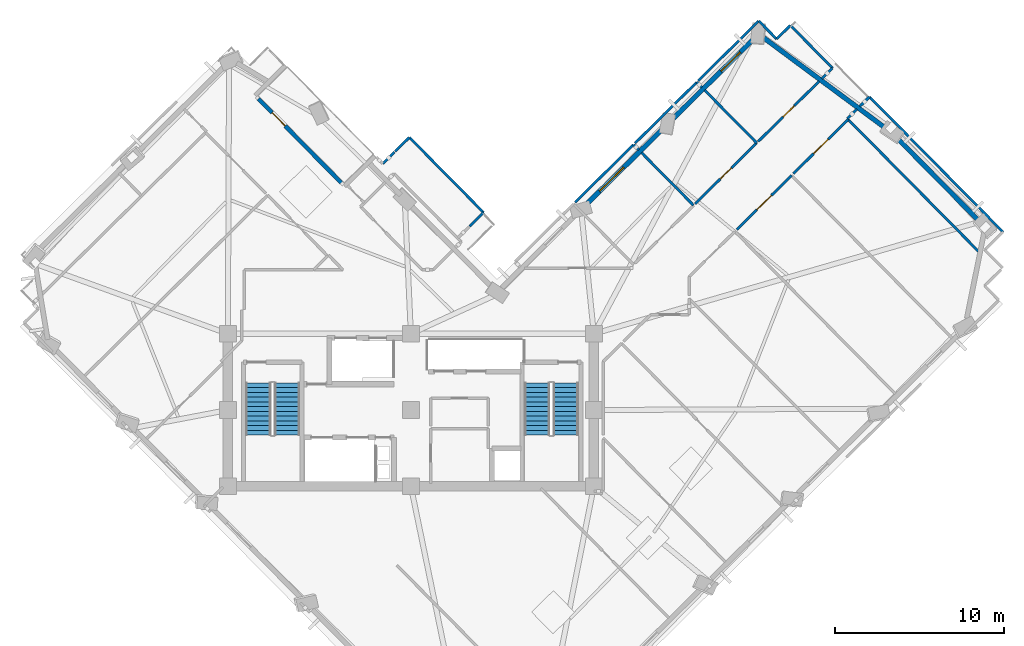
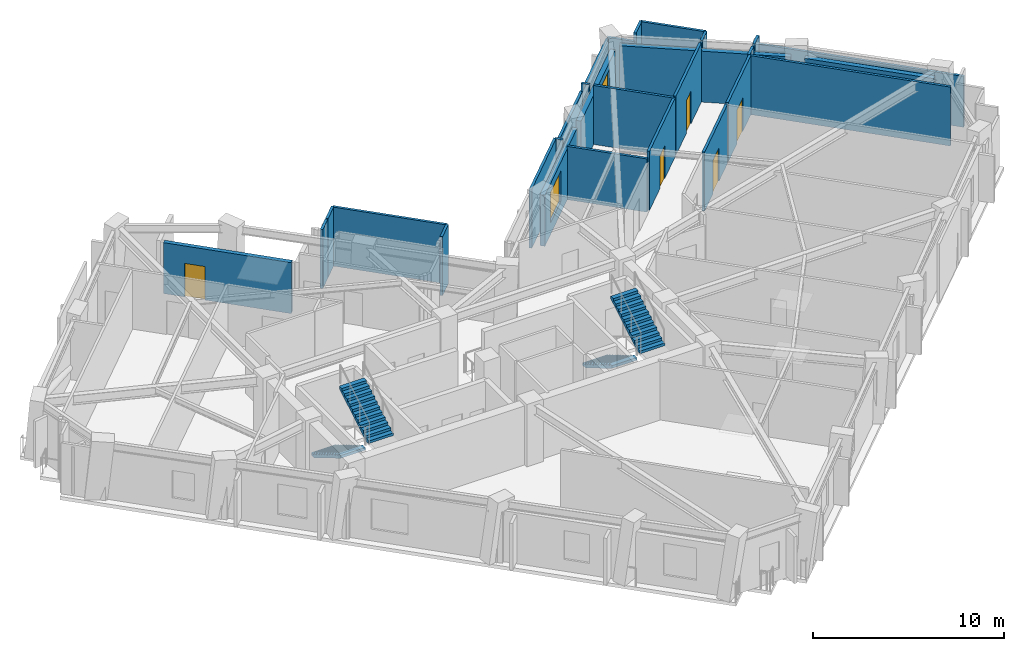
# One storey, part 7 of 11: 28 walls, 5 doors, 4 stair flights, 2 windows, 7 openings, 2 elements without a shape of their own.
"""IFC4 building model written with IfcOpenShell, lengths in metres."""

from ifc_helpers import new_model, si_unit, direction, frame, frame_2d, origin, place, context, subcontext, project, spatial, polyline, rectangle, outline, extrude, material, layer, layer_set, type_object, element, fill, aggregate, save


model = new_model("IFC4")

# Units and contexts
model_context = context("Model", 3, precision=1e-05, world=origin(), true_north=direction((0.0, 1.0)))
body_context = subcontext(model_context, "Body", "Model", "MODEL_VIEW")
ifc_project = project(units=[si_unit("LENGTHUNIT", "METRE"), si_unit("AREAUNIT", "SQUARE_METRE"), si_unit("VOLUMEUNIT", "CUBIC_METRE"), si_unit("PLANEANGLEUNIT", "RADIAN"), si_unit("MASSUNIT", "GRAM", prefix="KILO")], contexts=[model_context])

# Site, building, storey
site_placement = place(None, origin())
site = spatial("IfcSite", under=ifc_project, at=site_placement, CompositionType="ELEMENT")
building_placement = place(site_placement, origin())
building = spatial("IfcBuilding", under=site, at=building_placement, Name="Gaonmaruhae Medical Tower", CompositionType="ELEMENT")
storey_placement = place(building_placement, frame((0.0, 0.0, 215.199951171875)))
storey = spatial("IfcBuildingStorey", under=building, at=storey_placement, Name="L51", CompositionType="ELEMENT", Elevation=215.199951171875)

# Wall, opening, door
ifc_material_1 = material(Name="Precast concrete C45/55", Category="concrete")
ifc_layer_1 = layer(ifc_material_1, 0.239990234375)
ifc_layer_set_1 = layer_set([ifc_layer_1], Name="Precast concrete C45/55")
wall_type_1 = type_object("IfcWallType", Name="EW-240 Ribbon & Shelter Insulated Precast Wall", PredefinedType="SOLIDWALL", material=ifc_layer_set_1)
wall_1_placement = place(storey_placement, frame((15.80224609375, 30.664794921875, 0.0), z_axis=(0.0, 0.0, 1.0), x_axis=(0.702761539953, -0.711425483071, 0.0)))
wall_1 = element("IfcWall", 1, at=wall_1_placement, inside=storey, type_object=wall_type_1, Name="L51 Recessed Terrace Enclosure Wall TERB", PredefinedType="SOLIDWALL", context=body_context, shape_type="SweptSolid", body=[
    extrude(rectangle(XDim=6.960205078125, YDim=0.239990234375, at=frame_2d((3.47998046875, 0.0))), origin(), (0.0, 0.0, 1.0), 3.26513671875),
])
opening_1_placement = place(wall_1_placement, frame((1.15087890625, 0.0, 0.0)))
opening_1 = element("IfcOpeningElement", 2, at=opening_1_placement, cuts=wall_1, Name="Opening TD-01", PredefinedType="OPENING", context=body_context, shape_type="SweptSolid", body=[
    extrude(rectangle(XDim=1.10009765625, YDim=2.14990234375, at=frame_2d((0.550048828125, 1.074951171875))), frame((0.0, 0.1298828125, 0.0), z_axis=(0.0, -1.0, 0.0), x_axis=(1.0, 0.0, 0.0)), (0.0, 0.0, 1.0), 0.260009765625),
])
ifc_material_2 = material(Name="Anodised aluminium and toughened safety glass", Category="aluminium")
door_type_1 = type_object("IfcDoorType", Name="TD-01 Terrace & Sky Garden Glazed Door 1100x2150", OperationType="NOTDEFINED", PredefinedType="DOOR", material=ifc_material_2)
door_1_placement = place(opening_1_placement, origin())
door_1 = element("IfcDoor", 3, at=door_1_placement, inside=storey, type_object=door_type_1, Name="L51 Outdoor Terrace Access Door SLB-L51-TER", OperationType="SINGLE_SWING_LEFT", OverallHeight=2.14990234375, OverallWidth=1.10009765625, PredefinedType="DOOR", context=body_context, shape_type="SweptSolid", body=[
    extrude(rectangle(XDim=1.10009765625, YDim=2.14990234375, at=frame_2d((0.550048828125, 1.074951171875))), frame((0.0, 0.02490234375, 0.0), z_axis=(0.0, -1.0, 0.0), x_axis=(1.0, 0.0, 0.0)), (0.0, 0.0, 1.0), 0.050048828125),
])
fill(opening_1, door_1)

# Walls
ifc_layer_2 = layer(ifc_material_1, 0.280029296875)
ifc_layer_set_2 = layer_set([ifc_layer_2], Name="Precast concrete C45/55")
wall_type_2 = type_object("IfcWallType", Name="EW-280 Upper Precast Masonry-Frame Facade Wall", PredefinedType="SOLIDWALL", material=ifc_layer_set_2)
wall_2_placement = place(storey_placement, frame((53.38525390625, 28.46337890625, 0.0), z_axis=(0.0, 0.0, 1.0), x_axis=(0.702779857977, -0.711407387663, 0.0)))
element("IfcWall", 4, at=wall_2_placement, inside=storey, type_object=wall_type_2, Name="L51 Precast Masonry-Frame Wall E01-E02", PredefinedType="SOLIDWALL", context=body_context, shape_type="SweptSolid", body=[
    extrude(rectangle(XDim=7.046142578125, YDim=0.280029296875, at=frame_2d((3.52294921875, 0.0))), origin(), (0.0, 0.0, 1.0), 3.26513671875),
])
wall_3_placement = place(storey_placement, frame((45.546630859375, 34.323486328125, 0.0), z_axis=(0.0, 0.0, 1.0), x_axis=(0.803236884765, -0.595659724131, 0.0)))
element("IfcWall", 5, at=wall_3_placement, inside=storey, type_object=wall_type_2, Name="L51 Precast Masonry-Frame Wall E02-E03", PredefinedType="SOLIDWALL", context=body_context, shape_type="SweptSolid", body=[
    extrude(rectangle(XDim=9.036376953125, YDim=0.280029296875, at=frame_2d((4.51806640625, 0.0))), origin(), (0.0, 0.0, 1.0), 3.26513671875),
])

# Wall, opening, window
wall_4_placement = place(storey_placement, frame((40.2421875, 29.464111328125, 0.0), z_axis=(0.0, 0.0, 1.0), x_axis=(0.711432569106, 0.702754366486, 0.0)))
wall_4 = element("IfcWall", 6, at=wall_4_placement, inside=storey, type_object=wall_type_2, Name="L51 Precast Masonry-Frame Wall E03-EN01", PredefinedType="SOLIDWALL", context=body_context, shape_type="SweptSolid", body=[
    extrude(rectangle(XDim=6.780029296875, YDim=0.280029296875, at=frame_2d((3.39013671875, 0.0))), origin(), (0.0, 0.0, 1.0), 3.1650390625),
])
opening_2_placement = place(wall_4_placement, frame((4.023681640625, 0.0, 0.75)))
opening_2 = element("IfcOpeningElement", 7, at=opening_2_placement, cuts=wall_4, Name="Opening WN-01", PredefinedType="OPENING", context=body_context, shape_type="SweptSolid", body=[
    extrude(rectangle(XDim=1.60009765625, YDim=1.949951171875, at=frame_2d((0.800048828125, 0.97509765625))), frame((0.0, 0.14990234375, 0.0), z_axis=(0.0, -1.0, 0.0), x_axis=(1.0, 0.0, 0.0)), (0.0, 0.0, 1.0), 0.300048828125),
])
ifc_material_3 = material(Name="Anodised aluminium and Low-E double glazing", Category="aluminium")
window_type_1 = type_object("IfcWindowType", Name="WN-01 Ward Punched Acoustic Window 1600x1950", PartitioningType="SINGLE_PANEL", PredefinedType="WINDOW", material=ifc_material_3)
window_1_placement = place(opening_2_placement, origin())
window_1 = element("IfcWindow", 8, at=window_1_placement, inside=storey, type_object=window_type_1, Name="L51 Modular Facade Window E03", OverallHeight=1.949951171875, OverallWidth=1.60009765625, PartitioningType="SINGLE_PANEL", PredefinedType="WINDOW", context=body_context, shape_type="SweptSolid", body=[
    extrude(rectangle(XDim=1.60009765625, YDim=1.949951171875, at=frame_2d((0.800048828125, 0.97509765625))), frame((0.0, 0.030029296875, 0.0), z_axis=(0.0, -1.0, 0.0), x_axis=(1.0, 0.0, 0.0)), (0.0, 0.0, 1.0), 0.06005859375),
])
fill(opening_2, window_1)

wall_5_placement = place(storey_placement, frame((35.1240234375, 24.407958984375, 0.0), z_axis=(0.0, 0.0, 1.0), x_axis=(0.711416839959, 0.702770289513, 0.0)))
wall_5 = element("IfcWall", 9, at=wall_5_placement, inside=storey, type_object=wall_type_2, Name="L51 Precast Masonry-Frame Wall EN01-EN02", PredefinedType="SOLIDWALL", context=body_context, shape_type="SweptSolid", body=[
    extrude(rectangle(XDim=6.409423828125, YDim=0.280029296875, at=frame_2d((3.20458984375, 0.0))), origin(), (0.0, 0.0, 1.0), 3.26513671875),
])
opening_3_placement = place(wall_5_placement, frame((1.146484375, 0.0, 0.75)))
opening_3 = element("IfcOpeningElement", 10, at=opening_3_placement, cuts=wall_5, Name="Opening WN-02", PredefinedType="OPENING", context=body_context, shape_type="SweptSolid", body=[
    extrude(rectangle(XDim=2.0, YDim=1.949951171875, at=frame_2d((1.0, 0.97509765625))), frame((0.0, 0.14990234375, 0.0), z_axis=(0.0, -1.0, 0.0), x_axis=(1.0, 0.0, 0.0)), (0.0, 0.0, 1.0), 0.300048828125),
])
window_type_2 = type_object("IfcWindowType", Name="WN-02 Double-Bed Ward Punched Window 2000x1950", PartitioningType="SINGLE_PANEL", PredefinedType="WINDOW", material=ifc_material_3)
window_2_placement = place(opening_3_placement, origin())
window_2 = element("IfcWindow", 11, at=window_2_placement, inside=storey, type_object=window_type_2, Name="L51 Modular Facade Window EN01", OverallHeight=1.949951171875, OverallWidth=2.0, PartitioningType="SINGLE_PANEL", PredefinedType="WINDOW", context=body_context, shape_type="SweptSolid", body=[
    extrude(rectangle(XDim=2.0, YDim=1.949951171875, at=frame_2d((1.0, 0.97509765625))), frame((0.0, 0.030029296875, 0.0), z_axis=(0.0, -1.0, 0.0), x_axis=(1.0, 0.0, 0.0)), (0.0, 0.0, 1.0), 0.06005859375),
])
fill(opening_3, window_2)

# Wall, opening, door
ifc_material_4 = material(Name="Gypsum board partition", Category="gypsum")
ifc_layer_3 = layer(ifc_material_4, 0.14990234375)
ifc_layer_set_3 = layer_set([ifc_layer_3], Name="Gypsum board partition")
wall_type_3 = type_object("IfcWallType", Name="PW-150 Rated Clinical Corridor Partition", PredefinedType="PARTITIONING", material=ifc_layer_set_3)
wall_6_placement = place(storey_placement, frame((44.035888671875, 22.950927734375, 0.0), z_axis=(0.0, 0.0, 1.0), x_axis=(0.711502616413, 0.702683447107, 0.0)))
wall_6 = element("IfcWall", 12, at=wall_6_placement, inside=storey, type_object=wall_type_3, Name="L51 Interior Partition L51-SUP08-29", PredefinedType="PARTITIONING", context=body_context, shape_type="SweptSolid", body=[
    extrude(rectangle(XDim=4.5400390625, YDim=0.14990234375, at=frame_2d((2.27001953125, 0.0))), origin(), (0.0, 0.0, 1.0), 3.780029296875),
])
opening_4_placement = place(wall_6_placement, frame((1.669921875, 0.0, 0.0)))
opening_4 = element("IfcOpeningElement", 13, at=opening_4_placement, cuts=wall_6, Name="Opening CD-02", PredefinedType="OPENING", context=body_context, shape_type="SweptSolid", body=[
    extrude(rectangle(XDim=1.199951171875, YDim=2.14990234375, at=frame_2d((0.60009765625, 1.074951171875))), frame((0.0, 0.0849609375, 0.0), z_axis=(0.0, -1.0, 0.0), x_axis=(1.0, 0.0, 0.0)), (0.0, 0.0, 1.0), 0.169921875),
])
ifc_material_5 = material(Name="Antimicrobial laminate timber fire door", Category="wood")
door_type_2 = type_object("IfcDoorType", Name="CD-02 Clinical Treatment & Procedure Door 1200x2150", OperationType="NOTDEFINED", PredefinedType="DOOR", material=ifc_material_5)
door_2_placement = place(opening_4_placement, origin())
door_2 = element("IfcDoor", 14, at=door_2_placement, inside=storey, type_object=door_type_2, Name="L51 Clinical Biomedical Charting Office Door", OperationType="SINGLE_SWING_LEFT", OverallHeight=2.14990234375, OverallWidth=1.199951171875, PredefinedType="DOOR", context=body_context, shape_type="SweptSolid", body=[
    extrude(rectangle(XDim=1.199951171875, YDim=2.14990234375, at=frame_2d((0.60009765625, 1.074951171875))), frame((0.0, 0.02490234375, 0.0), z_axis=(0.0, -1.0, 0.0), x_axis=(1.0, 0.0, 0.0)), (0.0, 0.0, 1.0), 0.050048828125),
])
fill(opening_4, door_2)

wall_7_placement = place(storey_placement, frame((47.3798828125, 26.25390625, 0.0), z_axis=(0.0, 0.0, 1.0), x_axis=(0.711502616413, 0.702683447107, 0.0)))
wall_7 = element("IfcWall", 15, at=wall_7_placement, inside=storey, type_object=wall_type_3, Name="L51 Interior Partition L51-SUP09-32", PredefinedType="PARTITIONING", context=body_context, shape_type="SweptSolid", body=[
    extrude(rectangle(XDim=4.5400390625, YDim=0.14990234375, at=frame_2d((2.27001953125, 0.0))), origin(), (0.0, 0.0, 1.0), 3.780029296875),
])
opening_5_placement = place(wall_7_placement, frame((1.669921875, 0.0, 0.0)))
opening_5 = element("IfcOpeningElement", 16, at=opening_5_placement, cuts=wall_7, Name="Opening CD-02", PredefinedType="OPENING", context=body_context, shape_type="SweptSolid", body=[
    extrude(rectangle(XDim=1.199951171875, YDim=2.14990234375, at=frame_2d((0.60009765625, 1.074951171875))), frame((0.0, 0.0849609375, 0.0), z_axis=(0.0, -1.0, 0.0), x_axis=(1.0, 0.0, 0.0)), (0.0, 0.0, 1.0), 0.169921875),
])
door_3_placement = place(opening_5_placement, origin())
door_3 = element("IfcDoor", 17, at=door_3_placement, inside=storey, type_object=door_type_2, Name="L51 Clinical Biomedical Charting Office Door", OperationType="SINGLE_SWING_LEFT", OverallHeight=2.14990234375, OverallWidth=1.199951171875, PredefinedType="DOOR", context=body_context, shape_type="SweptSolid", body=[
    extrude(rectangle(XDim=1.199951171875, YDim=2.14990234375, at=frame_2d((0.60009765625, 1.074951171875))), frame((0.0, 0.02490234375, 0.0), z_axis=(0.0, -1.0, 0.0), x_axis=(1.0, 0.0, 0.0)), (0.0, 0.0, 1.0), 0.050048828125),
])
fill(opening_5, door_3)

# Walls
wall_8_placement = place(storey_placement, frame((50.610107421875, 29.444091796875, 0.0), z_axis=(0.0, 0.0, 1.0), x_axis=(0.702781267374, -0.711405995356, 0.0)))
element("IfcWall", 18, at=wall_8_placement, inside=storey, type_object=wall_type_3, Name="L51 Interior Partition L51-SUP09-33", PredefinedType="PARTITIONING", context=body_context, shape_type="SweptSolid", body=[
    extrude(rectangle(XDim=10.926513671875, YDim=0.14990234375, at=frame_2d((5.46337890625, 0.0))), origin(), (0.0, 0.0, 1.0), 3.780029296875),
])
wall_9_placement = place(storey_placement, frame((34.485107421875, 24.550048828125, 0.0), z_axis=(0.0, 0.0, 1.0), x_axis=(0.711390715855, 0.702796734053, 0.0)))
element("IfcWall", 19, at=wall_9_placement, inside=storey, type_object=wall_type_3, Name="L51 Interior Partition L51-IE03-62", PredefinedType="PARTITIONING", context=body_context, shape_type="SweptSolid", body=[
    extrude(rectangle(XDim=4.85791015625, YDim=0.14990234375, at=frame_2d((2.428955078125, 0.0))), origin(), (0.0, 0.0, 1.0), 3.780029296875),
])
wall_10_placement = place(storey_placement, frame((37.94091796875, 27.964111328125, 0.0), z_axis=(0.0, 0.0, 1.0), x_axis=(0.702610212359, -0.711574935962, 0.0)))
element("IfcWall", 20, at=wall_10_placement, inside=storey, type_object=wall_type_3, Name="L51 Interior Partition L51-IE03-63", PredefinedType="PARTITIONING", context=body_context, shape_type="SweptSolid", body=[
    extrude(rectangle(XDim=0.435791015625, YDim=0.14990234375, at=frame_2d((0.2177734375, 0.0))), origin(), (0.0, 0.0, 1.0), 3.780029296875),
])
wall_11_placement = place(storey_placement, frame((38.407958984375, 27.490966796875, 0.0), z_axis=(0.0, 0.0, 1.0), x_axis=(0.702741357697, -0.711445418976, 0.0)))
element("IfcWall", 21, at=wall_11_placement, inside=storey, type_object=wall_type_3, Name="L51 Interior Partition L51-IE03-64", PredefinedType="PARTITIONING", context=body_context, shape_type="SweptSolid", body=[
    extrude(rectangle(XDim=4.375732421875, YDim=0.14990234375, at=frame_2d((2.18798828125, 0.0))), origin(), (0.0, 0.0, 1.0), 3.4150390625),
])

# Wall, opening, door
wall_12_placement = place(storey_placement, frame((45.2109375, 28.06103515625, 0.0), z_axis=(0.0, 0.0, 1.0), x_axis=(-0.711361976558, -0.702825823592, 0.0)))
wall_12 = element("IfcWall", 22, at=wall_12_placement, inside=storey, type_object=wall_type_3, Name="L51 Interior Partition L51-IE04-65", PredefinedType="PARTITIONING", context=body_context, shape_type="SweptSolid", body=[
    extrude(rectangle(XDim=5.11962890625, YDim=0.14990234375, at=frame_2d((2.559814453125, 0.0))), origin(), (0.0, 0.0, 1.0), 3.780029296875),
])
opening_6_placement = place(wall_12_placement, frame((2.099853515625, 0.0, 0.0)))
opening_6 = element("IfcOpeningElement", 23, at=opening_6_placement, cuts=wall_12, Name="Opening UD-01", PredefinedType="OPENING", context=body_context, shape_type="SweptSolid", body=[
    extrude(rectangle(XDim=0.919921875, YDim=2.10009765625, at=frame_2d((0.4599609375, 1.050048828125))), frame((0.0, 0.0849609375, 0.0), z_axis=(0.0, -1.0, 0.0), x_axis=(1.0, 0.0, 0.0)), (0.0, 0.0, 1.0), 0.169921875),
])
ifc_material_6 = material(Name="Powder-coated steel utility door", Category="steel")
door_type_3 = type_object("IfcDoorType", Name="UD-01 Toilet, Utility & Housekeeping Door 920x2100", OperationType="NOTDEFINED", PredefinedType="DOOR", material=ifc_material_6)
door_4_placement = place(opening_6_placement, origin())
door_4 = element("IfcDoor", 24, at=door_4_placement, inside=storey, type_object=door_type_3, Name="L51 Accessible Public Toilet Door", OperationType="SINGLE_SWING_RIGHT", OverallHeight=2.10009765625, OverallWidth=0.919921875, PredefinedType="DOOR", context=body_context, shape_type="SweptSolid", body=[
    extrude(rectangle(XDim=0.919921875, YDim=2.10009765625, at=frame_2d((0.4599609375, 1.050048828125))), frame((0.0, 0.02490234375, 0.0), z_axis=(0.0, -1.0, 0.0), x_axis=(1.0, 0.0, 0.0)), (0.0, 0.0, 1.0), 0.050048828125),
])
fill(opening_6, door_4)

# Walls
wall_13_placement = place(storey_placement, frame((38.027099609375, 28.048095703125, 0.0), z_axis=(0.0, 0.0, 1.0), x_axis=(0.711290453271, 0.702898208196, 0.0)))
element("IfcWall", 25, at=wall_13_placement, inside=storey, type_object=wall_type_3, Name="L51 Interior Partition L51-IE04-66", PredefinedType="PARTITIONING", context=body_context, shape_type="SweptSolid", body=[
    extrude(rectangle(XDim=5.1201171875, YDim=0.14990234375, at=frame_2d((2.56005859375, 0.0))), origin(), (0.0, 0.0, 1.0), 3.26513671875),
])
wall_14_placement = place(storey_placement, frame((41.6689453125, 31.64697265625, 0.0), z_axis=(0.0, 0.0, 1.0), x_axis=(0.702610212359, -0.711574935962, 0.0)))
element("IfcWall", 26, at=wall_14_placement, inside=storey, type_object=wall_type_3, Name="L51 Interior Partition L51-IE04-67", PredefinedType="PARTITIONING", context=body_context, shape_type="SweptSolid", body=[
    extrude(rectangle(XDim=0.435791015625, YDim=0.14990234375, at=frame_2d((0.2177734375, 0.0))), origin(), (0.0, 0.0, 1.0), 3.780029296875),
])
wall_15_placement = place(storey_placement, frame((42.136962890625, 31.174072265625, 0.0), z_axis=(0.0, 0.0, 1.0), x_axis=(0.702628367002, -0.711557009581, 0.0)))
element("IfcWall", 27, at=wall_15_placement, inside=storey, type_object=wall_type_3, Name="L51 Interior Partition L51-IE04-68", PredefinedType="PARTITIONING", context=body_context, shape_type="SweptSolid", body=[
    extrude(rectangle(XDim=4.375, YDim=0.14990234375, at=frame_2d((2.1875, 0.0))), origin(), (0.0, 0.0, 1.0), 3.780029296875),
])
wall_16_placement = place(storey_placement, frame((46.385986328125, 34.197021484375, 0.0), z_axis=(0.0, 0.0, 1.0), x_axis=(0.711483702843, 0.70270259754, 0.0)))
element("IfcWall", 28, at=wall_16_placement, inside=storey, type_object=wall_type_3, Name="L51 Interior Partition L51-IE05-69", PredefinedType="PARTITIONING", context=body_context, shape_type="SweptSolid", body=[
    extrude(rectangle(XDim=1.139892578125, YDim=0.14990234375, at=frame_2d((0.56982421875, 0.0))), origin(), (0.0, 0.0, 1.0), 3.780029296875),
])
wall_17_placement = place(storey_placement, frame((47.197021484375, 34.998046875, 0.0), z_axis=(0.0, 0.0, 1.0), x_axis=(0.70271289867, -0.711473528701, 0.0)))
element("IfcWall", 29, at=wall_17_placement, inside=storey, type_object=wall_type_3, Name="L51 Interior Partition L51-IE05-70", PredefinedType="PARTITIONING", context=body_context, shape_type="SweptSolid", body=[
    extrude(rectangle(XDim=3.539306640625, YDim=0.14990234375, at=frame_2d((1.76953125, 0.0))), origin(), (0.0, 0.0, 1.0), 3.780029296875),
])
wall_18_placement = place(storey_placement, frame((49.68408203125, 32.47998046875, 0.0), z_axis=(0.0, 0.0, 1.0), x_axis=(-0.711123155313, -0.703067463319, 0.0)))
element("IfcWall", 30, at=wall_18_placement, inside=storey, type_object=wall_type_3, Name="L51 Interior Partition L51-IE05-71", PredefinedType="PARTITIONING", context=body_context, shape_type="SweptSolid", body=[
    extrude(rectangle(XDim=0.87890625, YDim=0.14990234375, at=frame_2d((0.439453125, 0.0))), origin(), (0.0, 0.0, 1.0), 3.780029296875),
])

# Wall, opening, door
wall_19_placement = place(storey_placement, frame((48.89306640625, 31.698974609375, 0.0), z_axis=(0.0, 0.0, 1.0), x_axis=(-0.711366706514, -0.702821036156, 0.0)))
wall_19 = element("IfcWall", 31, at=wall_19_placement, inside=storey, type_object=wall_type_3, Name="L51 Interior Partition L51-IE05-72", PredefinedType="PARTITIONING", context=body_context, shape_type="SweptSolid", body=[
    extrude(rectangle(XDim=5.056640625, YDim=0.14990234375, at=frame_2d((2.5283203125, 0.0))), origin(), (0.0, 0.0, 1.0), 3.780029296875),
])
opening_7_placement = place(wall_19_placement, frame((2.068359375, 0.0, 0.0)))
opening_7 = element("IfcOpeningElement", 32, at=opening_7_placement, cuts=wall_19, Name="Opening UD-01", PredefinedType="OPENING", context=body_context, shape_type="SweptSolid", body=[
    extrude(rectangle(XDim=0.919921875, YDim=2.10009765625, at=frame_2d((0.4599609375, 1.050048828125))), frame((0.0, 0.0849609375, 0.0), z_axis=(0.0, -1.0, 0.0), x_axis=(1.0, 0.0, 0.0)), (0.0, 0.0, 1.0), 0.169921875),
])
door_5_placement = place(opening_7_placement, origin())
door_5 = element("IfcDoor", 33, at=door_5_placement, inside=storey, type_object=door_type_3, Name="L51 Ward Housekeeping and Linen Store Door", OperationType="SINGLE_SWING_RIGHT", OverallHeight=2.10009765625, OverallWidth=0.919921875, PredefinedType="DOOR", context=body_context, shape_type="SweptSolid", body=[
    extrude(rectangle(XDim=0.919921875, YDim=2.10009765625, at=frame_2d((0.4599609375, 1.050048828125))), frame((0.0, 0.02490234375, 0.0), z_axis=(0.0, -1.0, 0.0), x_axis=(1.0, 0.0, 0.0)), (0.0, 0.0, 1.0), 0.050048828125),
])
fill(opening_7, door_5)

# Walls
wall_20_placement = place(storey_placement, frame((41.75390625, 31.73095703125, 0.0), z_axis=(0.0, 0.0, 1.0), x_axis=(0.711487722313, 0.702698527818, 0.0)))
element("IfcWall", 34, at=wall_20_placement, inside=storey, type_object=wall_type_3, Name="L51 Interior Partition L51-IE05-73", PredefinedType="PARTITIONING", context=body_context, shape_type="SweptSolid", body=[
    extrude(rectangle(XDim=5.027587890625, YDim=0.14990234375, at=frame_2d((2.513671875, 0.0))), origin(), (0.0, 0.0, 1.0), 3.1650390625),
])
wall_21_placement = place(storey_placement, frame((45.3310546875, 35.263916015625, 0.0), z_axis=(0.0, 0.0, 1.0), x_axis=(0.703108926748, -0.711082159196, 0.0)))
element("IfcWall", 35, at=wall_21_placement, inside=storey, type_object=wall_type_3, Name="L51 Interior Partition L51-IE05-74", PredefinedType="PARTITIONING", context=body_context, shape_type="SweptSolid", body=[
    extrude(rectangle(XDim=1.50048828125, YDim=0.14990234375, at=frame_2d((0.750244140625, 0.0))), origin(), (0.0, 0.0, 1.0), 3.26513671875),
])
wall_22_placement = place(storey_placement, frame((23.14697265625, 26.843994140625, 0.0), z_axis=(0.0, 0.0, 1.0), x_axis=(0.711750803525, 0.702432056274, 0.0)))
element("IfcWall", 36, at=wall_22_placement, inside=storey, type_object=wall_type_3, Name="L51 Interior Partition L51-RM03-94", PredefinedType="PARTITIONING", context=body_context, shape_type="SweptSolid", body=[
    extrude(rectangle(XDim=0.96923828125, YDim=0.14990234375, at=frame_2d((0.484619140625, 0.0))), origin(), (0.0, 0.0, 1.0), 3.780029296875),
])
wall_23_placement = place(storey_placement, frame((23.8798828125, 27.568115234375, 0.0), z_axis=(0.0, 0.0, 1.0), x_axis=(0.711477293249, 0.70270908717, 0.0)))
element("IfcWall", 37, at=wall_23_placement, inside=storey, type_object=wall_type_3, Name="L51 Interior Partition L51-RM04-97", PredefinedType="PARTITIONING", context=body_context, shape_type="SweptSolid", body=[
    extrude(rectangle(XDim=1.16943359375, YDim=0.14990234375, at=frame_2d((0.584716796875, 0.0))), origin(), (0.0, 0.0, 1.0), 3.780029296875),
])
wall_24_placement = place(storey_placement, frame((24.7119140625, 28.389892578125, 0.0), z_axis=(0.0, 0.0, 1.0), x_axis=(0.702862132266, -0.711326101747, 0.0)))
element("IfcWall", 38, at=wall_24_placement, inside=storey, type_object=wall_type_3, Name="L51 Interior Partition L51-RM04-98", PredefinedType="PARTITIONING", context=body_context, shape_type="SweptSolid", body=[
    extrude(rectangle(XDim=6.23046875, YDim=0.14990234375, at=frame_2d((3.115234375, 0.0))), origin(), (0.0, 0.0, 1.0), 3.780029296875),
])
wall_25_placement = place(storey_placement, frame((29.091064453125, 23.9580078125, 0.0), z_axis=(0.0, 0.0, 1.0), x_axis=(-0.711784977871, -0.702397426873, 0.0)))
element("IfcWall", 39, at=wall_25_placement, inside=storey, type_object=wall_type_3, Name="L51 Interior Partition L51-RM04-99", PredefinedType="PARTITIONING", context=body_context, shape_type="SweptSolid", body=[
    extrude(rectangle(XDim=1.17041015625, YDim=0.14990234375, at=frame_2d((0.585205078125, 0.0))), origin(), (0.0, 0.0, 1.0), 3.780029296875),
])
wall_26_placement = place(storey_placement, frame((50.56103515625, 29.493896484375, 0.0), z_axis=(0.0, 0.0, 1.0), x_axis=(0.710821800861, 0.703372140066, 0.0)))
element("IfcWall", 40, at=wall_26_placement, inside=storey, type_object=wall_type_3, Name="L51 Interior Partition L51-RM06-102", PredefinedType="PARTITIONING", context=body_context, shape_type="SweptSolid", body=[
    extrude(rectangle(XDim=0.78662109375, YDim=0.14990234375, at=frame_2d((0.393310546875, 0.0))), origin(), (0.0, 0.0, 1.0), 3.780029296875),
])
wall_27_placement = place(storey_placement, frame((51.285888671875, 30.2109375, 0.0), z_axis=(0.0, 0.0, 1.0), x_axis=(0.711435122596, 0.702751781454, 0.0)))
element("IfcWall", 41, at=wall_27_placement, inside=storey, type_object=wall_type_3, Name="L51 Interior Partition L51-RM06-103", PredefinedType="PARTITIONING", context=body_context, shape_type="SweptSolid", body=[
    extrude(rectangle(XDim=0.8154296875, YDim=0.14990234375, at=frame_2d((0.40771484375, 0.0))), origin(), (0.0, 0.0, 1.0), 3.780029296875),
])
wall_28_placement = place(storey_placement, frame((51.865966796875, 30.783935546875, 0.0), z_axis=(0.0, 0.0, 1.0), x_axis=(0.702774280848, -0.711412897113, 0.0)))
element("IfcWall", 42, at=wall_28_placement, inside=storey, type_object=wall_type_3, Name="L51 Interior Partition L51-RM06-104", PredefinedType="PARTITIONING", context=body_context, shape_type="SweptSolid", body=[
    extrude(rectangle(XDim=11.2197265625, YDim=0.14990234375, at=frame_2d((5.60986328125, 0.0))), origin(), (0.0, 0.0, 1.0), 3.26513671875),
])

# Stair, stair flights
ifc_material_7 = material(Name="Concrete C40/50", Category="concrete")
stair_type = type_object("IfcStairType", Name="ST-T1 Primary Core Escape Dogleg Stair", PredefinedType="TWO_QUARTER_TURN_STAIR", material=ifc_material_7)
stair_1_placement = place(storey_placement, origin())
stair_1 = element("IfcStair", 43, at=stair_1_placement, inside=storey, type_object=stair_type, Name="L51 Protected Escape Stair ST-01", PredefinedType="TWO_QUARTER_TURN_STAIR")
stair_flight_type = type_object("IfcStairFlightType", Name="SF-T1 Primary Core Precast Stair Flight", PredefinedType="STRAIGHT", material=ifc_material_7)
stair_flight_1_placement = place(storey_placement, frame((15.800048828125, 13.89990234375, 0.0), z_axis=(0.0, 0.0, 1.0), x_axis=(0.0, -1.0, 0.0)))
stair_flight_1 = element("IfcStairFlight", 44, at=stair_flight_1_placement, type_object=stair_flight_type, Name="ST-01 flight 1", NumberOfRisers=12, NumberOfTreads=11, PredefinedType="STRAIGHT", RiserHeight=0.166666667, TreadLength=0.28, context=body_context, shape_type="SweptSolid", body=[
    extrude(outline(polyline([(0.0, 0.0), (0.0, 0.166748046875), (0.280029296875, 0.166748046875), (0.280029296875, 0.333251953125), (0.56005859375, 0.333251953125), (0.56005859375, 0.5), (0.840087890625, 0.5), (0.840087890625, 0.666748046875), (1.1201171875, 0.666748046875), (1.1201171875, 0.833251953125), (1.39990234375, 0.833251953125), (1.39990234375, 1.0), (1.679931640625, 1.0), (1.679931640625, 1.166748046875), (1.9599609375, 1.166748046875), (1.9599609375, 1.333251953125), (2.239990234375, 1.333251953125), (2.239990234375, 1.5), (2.52001953125, 1.5), (2.52001953125, 1.666748046875), (2.800048828125, 1.666748046875), (2.800048828125, 1.833251953125), (3.080078125, 1.833251953125), (3.080078125, 2.0), (3.080078125, 1.658935546875), (0.29296875, 0.0), (0.0, 0.0)])), frame((0.0, 0.75, 0.0), z_axis=(0.0, -1.0, 0.0), x_axis=(1.0, 0.0, 0.0)), (0.0, 0.0, 1.0), 1.5),
])
stair_flight_2_placement = place(storey_placement, frame((17.5, 10.820068359375, 2.0), z_axis=(0.0, 0.0, 1.0), x_axis=(0.0, 1.0, 0.0)))
stair_flight_2 = element("IfcStairFlight", 45, at=stair_flight_2_placement, type_object=stair_flight_type, Name="ST-01 flight 2", NumberOfRisers=12, NumberOfTreads=11, PredefinedType="STRAIGHT", RiserHeight=0.166666667, TreadLength=0.28, context=body_context, shape_type="SweptSolid", body=[
    extrude(outline(polyline([(0.0, 0.0), (0.0, 0.166748046875), (0.280029296875, 0.166748046875), (0.280029296875, 0.333251953125), (0.56005859375, 0.333251953125), (0.56005859375, 0.5), (0.840087890625, 0.5), (0.840087890625, 0.666748046875), (1.1201171875, 0.666748046875), (1.1201171875, 0.833251953125), (1.39990234375, 0.833251953125), (1.39990234375, 1.0), (1.679931640625, 1.0), (1.679931640625, 1.166748046875), (1.9599609375, 1.166748046875), (1.9599609375, 1.333251953125), (2.239990234375, 1.333251953125), (2.239990234375, 1.5), (2.52001953125, 1.5), (2.52001953125, 1.666748046875), (2.800048828125, 1.666748046875), (2.800048828125, 1.833251953125), (3.080078125, 1.833251953125), (3.080078125, 2.0), (3.080078125, 1.658935546875), (0.29296875, 0.0), (0.0, 0.0)])), frame((0.0, 0.75, 0.0), z_axis=(0.0, -1.0, 0.0), x_axis=(1.0, 0.0, 0.0)), (0.0, 0.0, 1.0), 1.5),
])
aggregate(stair_1, [stair_flight_1, stair_flight_2])

stair_2_placement = place(storey_placement, origin())
stair_2 = element("IfcStair", 46, at=stair_2_placement, inside=storey, type_object=stair_type, Name="L51 Protected Escape Stair ST-02", PredefinedType="TWO_QUARTER_TURN_STAIR")
stair_flight_3_placement = place(storey_placement, frame((32.25, 13.89990234375, 0.0), z_axis=(0.0, 0.0, 1.0), x_axis=(0.0, -1.0, 0.0)))
stair_flight_3 = element("IfcStairFlight", 47, at=stair_flight_3_placement, type_object=stair_flight_type, Name="ST-02 flight 1", NumberOfRisers=12, NumberOfTreads=11, PredefinedType="STRAIGHT", RiserHeight=0.166666667, TreadLength=0.28, context=body_context, shape_type="SweptSolid", body=[
    extrude(outline(polyline([(0.0, 0.0), (0.0, 0.166748046875), (0.280029296875, 0.166748046875), (0.280029296875, 0.333251953125), (0.56005859375, 0.333251953125), (0.56005859375, 0.5), (0.840087890625, 0.5), (0.840087890625, 0.666748046875), (1.1201171875, 0.666748046875), (1.1201171875, 0.833251953125), (1.39990234375, 0.833251953125), (1.39990234375, 1.0), (1.679931640625, 1.0), (1.679931640625, 1.166748046875), (1.9599609375, 1.166748046875), (1.9599609375, 1.333251953125), (2.239990234375, 1.333251953125), (2.239990234375, 1.5), (2.52001953125, 1.5), (2.52001953125, 1.666748046875), (2.800048828125, 1.666748046875), (2.800048828125, 1.833251953125), (3.080078125, 1.833251953125), (3.080078125, 2.0), (3.080078125, 1.658935546875), (0.29296875, 0.0), (0.0, 0.0)])), frame((0.0, 0.75, 0.0), z_axis=(0.0, -1.0, 0.0), x_axis=(1.0, 0.0, 0.0)), (0.0, 0.0, 1.0), 1.5),
])
stair_flight_4_placement = place(storey_placement, frame((33.949951171875, 10.820068359375, 2.0), z_axis=(0.0, 0.0, 1.0), x_axis=(0.0, 1.0, 0.0)))
stair_flight_4 = element("IfcStairFlight", 48, at=stair_flight_4_placement, type_object=stair_flight_type, Name="ST-02 flight 2", NumberOfRisers=12, NumberOfTreads=11, PredefinedType="STRAIGHT", RiserHeight=0.166666667, TreadLength=0.28, context=body_context, shape_type="SweptSolid", body=[
    extrude(outline(polyline([(0.0, 0.0), (0.0, 0.166748046875), (0.280029296875, 0.166748046875), (0.280029296875, 0.333251953125), (0.56005859375, 0.333251953125), (0.56005859375, 0.5), (0.840087890625, 0.5), (0.840087890625, 0.666748046875), (1.1201171875, 0.666748046875), (1.1201171875, 0.833251953125), (1.39990234375, 0.833251953125), (1.39990234375, 1.0), (1.679931640625, 1.0), (1.679931640625, 1.166748046875), (1.9599609375, 1.166748046875), (1.9599609375, 1.333251953125), (2.239990234375, 1.333251953125), (2.239990234375, 1.5), (2.52001953125, 1.5), (2.52001953125, 1.666748046875), (2.800048828125, 1.666748046875), (2.800048828125, 1.833251953125), (3.080078125, 1.833251953125), (3.080078125, 2.0), (3.080078125, 1.658935546875), (0.29296875, 0.0), (0.0, 0.0)])), frame((0.0, 0.75, 0.0), z_axis=(0.0, -1.0, 0.0), x_axis=(1.0, 0.0, 0.0)), (0.0, 0.0, 1.0), 1.5),
])
aggregate(stair_2, [stair_flight_3, stair_flight_4])

save(model, "model.ifc")
